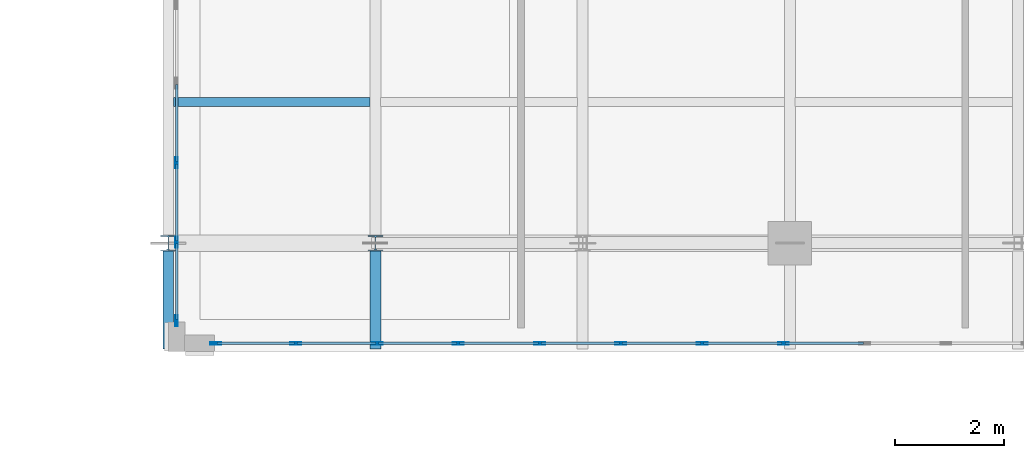
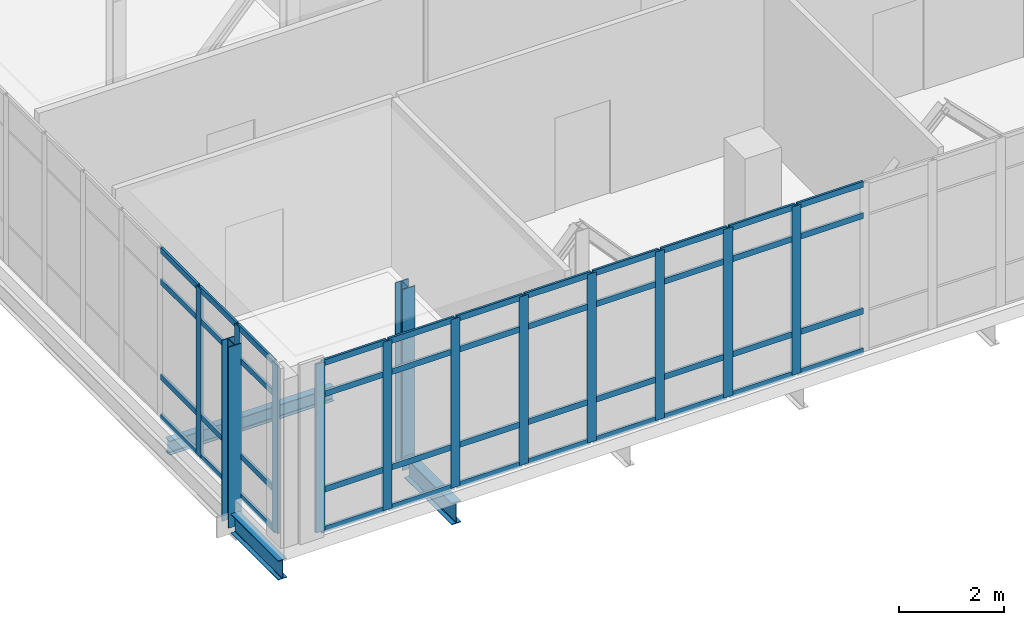
# One storey, part 2 of 193: 57 members, 3 beams, 2 elements without a shape of their own.
"""IFC4 building model written with IfcOpenShell, lengths in metres."""

from ifc_helpers import new_model, si_unit, direction, frame, origin, origin_2d, place, context, subcontext, project, spatial, hollow_rectangle, i_section, extrude, material, layer, layer_set, material_profile, profile_set, type_object, element, aggregate, save


model = new_model("IFC4")

# Units and contexts
model_context = context("Model", 3, precision=1e-05, world=origin(), true_north=direction((0.0, 1.0)))
body_context = subcontext(model_context, "Body", "Model", "MODEL_VIEW")
ifc_project = project(units=[si_unit("LENGTHUNIT", "METRE"), si_unit("AREAUNIT", "SQUARE_METRE"), si_unit("VOLUMEUNIT", "CUBIC_METRE"), si_unit("PLANEANGLEUNIT", "RADIAN"), si_unit("MASSUNIT", "GRAM", prefix="KILO")], contexts=[model_context])

# Site, building, storey
site_placement = place(None, origin())
site = spatial("IfcSite", under=ifc_project, at=site_placement, CompositionType="ELEMENT")
building_placement = place(site_placement, origin())
building = spatial("IfcBuilding", under=site, at=building_placement, Name="Qalavern Law Courts", CompositionType="ELEMENT")
storey_placement = place(building_placement, frame((0.0, 0.0, 10.199951171875)))
storey = spatial("IfcBuildingStorey", under=building, at=storey_placement, Name="L02", CompositionType="ELEMENT", Elevation=10.199951171875)

# Curtain wall, members
ifc_material_1 = material(Name="Anodised aluminium and insulated glazing", Category="aluminium")
ifc_layer = layer(ifc_material_1, 0.199951171875)
ifc_layer_set = layer_set([ifc_layer], Name="Anodised aluminium and insulated glazing")
curtain_wall_type = type_object("IfcCurtainWallType", Name="ENV-CW-FOYER", PredefinedType="USERDEFINED", material=ifc_layer_set)
curtain_wall_1_placement = place(storey_placement, origin())
curtain_wall_1 = element("IfcCurtainWall", 1, at=curtain_wall_1_placement, inside=storey, type_object=curtain_wall_type, Name="V1 unitised curtain wall L02 south 1", ObjectType="UNITISED CURTAIN WALL", PredefinedType="USERDEFINED")
ifc_material_2 = material(Name="Anodised aluminium", Category="aluminium")
ifc_material_profile_1 = material_profile(ifc_material_2, hollow_rectangle(XDim=0.048095703125, YDim=0.199951171875, WallThickness=0.00439453125, at=origin_2d()), Name="ALU MULLION 48x200")
ifc_profile_set_1 = profile_set([ifc_material_profile_1], Name="Anodised aluminium")
member_type_1 = type_object("IfcMemberType", Name="ENV-CWM-48x200", PredefinedType="MULLION", material=ifc_profile_set_1)
member_1_placement = place(storey_placement, frame((6.22900390625, 8.155029296875, 0.0), z_axis=(0.0, 0.0, 1.0), x_axis=(0.0, 1.0, 0.0)))
member_1 = element("IfcMember", 2, at=member_1_placement, type_object=member_type_1, Name="CW-01 mullion 1", PredefinedType="MULLION", context=body_context, shape_type="SweptSolid", body=[
    extrude(hollow_rectangle(XDim=0.048095703125, YDim=0.199951171875, WallThickness=0.00439453125, at=origin_2d()), origin(), (0.0, 0.0, 1.0), 3.9150390625),
])
member_2_placement = place(storey_placement, frame((7.70166015625, 8.155029296875, 0.0), z_axis=(0.0, 0.0, 1.0), x_axis=(0.0, 1.0, 0.0)))
member_2 = element("IfcMember", 3, at=member_2_placement, type_object=member_type_1, Name="CW-01 mullion 2", PredefinedType="MULLION", context=body_context, shape_type="SweptSolid", body=[
    extrude(hollow_rectangle(XDim=0.048095703125, YDim=0.199951171875, WallThickness=0.00439453125, at=origin_2d()), origin(), (0.0, 0.0, 1.0), 3.9150390625),
])
member_3_placement = place(storey_placement, frame((9.1982421875, 8.155029296875, 0.0), z_axis=(0.0, 0.0, 1.0), x_axis=(0.0, 1.0, 0.0)))
member_3 = element("IfcMember", 4, at=member_3_placement, type_object=member_type_1, Name="CW-01 mullion 3", PredefinedType="MULLION", context=body_context, shape_type="SweptSolid", body=[
    extrude(hollow_rectangle(XDim=0.048095703125, YDim=0.199951171875, WallThickness=0.00439453125, at=origin_2d()), origin(), (0.0, 0.0, 1.0), 3.9150390625),
])
member_4_placement = place(storey_placement, frame((10.695068359375, 8.155029296875, 0.0), z_axis=(0.0, 0.0, 1.0), x_axis=(0.0, 1.0, 0.0)))
member_4 = element("IfcMember", 5, at=member_4_placement, type_object=member_type_1, Name="CW-01 mullion 4", PredefinedType="MULLION", context=body_context, shape_type="SweptSolid", body=[
    extrude(hollow_rectangle(XDim=0.048095703125, YDim=0.199951171875, WallThickness=0.00439453125, at=origin_2d()), origin(), (0.0, 0.0, 1.0), 3.9150390625),
])
member_5_placement = place(storey_placement, frame((12.191650390625, 8.155029296875, 0.0), z_axis=(0.0, 0.0, 1.0), x_axis=(0.0, 1.0, 0.0)))
member_5 = element("IfcMember", 6, at=member_5_placement, type_object=member_type_1, Name="CW-01 mullion 5", PredefinedType="MULLION", context=body_context, shape_type="SweptSolid", body=[
    extrude(hollow_rectangle(XDim=0.048095703125, YDim=0.199951171875, WallThickness=0.00439453125, at=origin_2d()), origin(), (0.0, 0.0, 1.0), 3.9150390625),
])
member_6_placement = place(storey_placement, frame((13.688232421875, 8.155029296875, 0.0), z_axis=(0.0, 0.0, 1.0), x_axis=(0.0, 1.0, 0.0)))
member_6 = element("IfcMember", 7, at=member_6_placement, type_object=member_type_1, Name="CW-01 mullion 6", PredefinedType="MULLION", context=body_context, shape_type="SweptSolid", body=[
    extrude(hollow_rectangle(XDim=0.048095703125, YDim=0.199951171875, WallThickness=0.00439453125, at=origin_2d()), origin(), (0.0, 0.0, 1.0), 3.9150390625),
])
member_7_placement = place(storey_placement, frame((15.18505859375, 8.155029296875, 0.0), z_axis=(0.0, 0.0, 1.0), x_axis=(0.0, 1.0, 0.0)))
member_7 = element("IfcMember", 8, at=member_7_placement, type_object=member_type_1, Name="CW-01 mullion 7", PredefinedType="MULLION", context=body_context, shape_type="SweptSolid", body=[
    extrude(hollow_rectangle(XDim=0.048095703125, YDim=0.199951171875, WallThickness=0.00439453125, at=origin_2d()), origin(), (0.0, 0.0, 1.0), 3.9150390625),
])
member_8_placement = place(storey_placement, frame((16.681640625, 8.155029296875, 0.0), z_axis=(0.0, 0.0, 1.0), x_axis=(0.0, 1.0, 0.0)))
member_8 = element("IfcMember", 9, at=member_8_placement, type_object=member_type_1, Name="CW-01 mullion 8", PredefinedType="MULLION", context=body_context, shape_type="SweptSolid", body=[
    extrude(hollow_rectangle(XDim=0.048095703125, YDim=0.199951171875, WallThickness=0.00439453125, at=origin_2d()), origin(), (0.0, 0.0, 1.0), 3.9150390625),
])

curtain_wall_2_placement = place(storey_placement, origin())
curtain_wall_2 = element("IfcCurtainWall", 10, at=curtain_wall_2_placement, inside=storey, type_object=curtain_wall_type, Name="V1 unitised curtain wall L02 west 1", ObjectType="UNITISED CURTAIN WALL", PredefinedType="USERDEFINED")
member_9_placement = place(storey_placement, frame((5.5048828125, 11.4794921875, 0.0), z_axis=(0.0, 0.0, 1.0), x_axis=(1.0, 0.0, 0.0)))
member_9 = element("IfcMember", 11, at=member_9_placement, type_object=member_type_1, Name="CW-01 mullion 16", PredefinedType="MULLION", context=body_context, shape_type="SweptSolid", body=[
    extrude(hollow_rectangle(XDim=0.048095703125, YDim=0.199951171875, WallThickness=0.00439453125, at=origin_2d()), origin(), (0.0, 0.0, 1.0), 3.9150390625),
])
member_10_placement = place(storey_placement, frame((5.5048828125, 10.0146484375, 0.0), z_axis=(0.0, 0.0, 1.0), x_axis=(1.0, 0.0, 0.0)))
member_10 = element("IfcMember", 12, at=member_10_placement, type_object=member_type_1, Name="CW-01 mullion 17", PredefinedType="MULLION", context=body_context, shape_type="SweptSolid", body=[
    extrude(hollow_rectangle(XDim=0.048095703125, YDim=0.199951171875, WallThickness=0.00439453125, at=origin_2d()), origin(), (0.0, 0.0, 1.0), 3.9150390625),
])
member_11_placement = place(storey_placement, frame((5.5048828125, 8.573974609375, 0.0), z_axis=(0.0, 0.0, 1.0), x_axis=(1.0, 0.0, 0.0)))
member_11 = element("IfcMember", 13, at=member_11_placement, type_object=member_type_1, Name="CW-01 mullion 18", PredefinedType="MULLION", context=body_context, shape_type="SweptSolid", body=[
    extrude(hollow_rectangle(XDim=0.048095703125, YDim=0.199951171875, WallThickness=0.00439453125, at=origin_2d()), origin(), (0.0, 0.0, 1.0), 3.9150390625),
])

# Member
ifc_material_profile_2 = material_profile(ifc_material_2, hollow_rectangle(XDim=0.048095703125, YDim=0.139892578125, WallThickness=0.00390625, at=origin_2d()), Name="ALU TRANSOM 48x140")
ifc_profile_set_2 = profile_set([ifc_material_profile_2], Name="Anodised aluminium")
member_type_2 = type_object("IfcMemberType", Name="ENV-CWT-48x140", PredefinedType="USERDEFINED", material=ifc_profile_set_2)
member_12_placement = place(storey_placement, frame((6.2529296875, 8.155029296875, 0.024169921875), z_axis=(1.0, 0.0, 0.0), x_axis=(0.0, 1.0, 0.0)))
member_12 = element("IfcMember", 14, at=member_12_placement, type_object=member_type_2, Name="CW-01 transom 1.1", ObjectType="TRANSOM", PredefinedType="USERDEFINED", context=body_context, shape_type="SweptSolid", body=[
    extrude(hollow_rectangle(XDim=0.048095703125, YDim=0.139892578125, WallThickness=0.00390625, at=origin_2d()), origin(), (0.0, 0.0, 1.0), 1.4248046875),
])

member_13_placement = place(storey_placement, frame((6.2529296875, 8.155029296875, 0.949951171875), z_axis=(1.0, 0.0, 0.0), x_axis=(0.0, 1.0, 0.0)))
member_13 = element("IfcMember", 15, at=member_13_placement, type_object=member_type_2, Name="CW-01 transom 1.2", ObjectType="TRANSOM", PredefinedType="USERDEFINED", context=body_context, shape_type="SweptSolid", body=[
    extrude(hollow_rectangle(XDim=0.048095703125, YDim=0.139892578125, WallThickness=0.00390625, at=origin_2d()), origin(), (0.0, 0.0, 1.0), 1.4248046875),
])

member_14_placement = place(storey_placement, frame((6.2529296875, 8.155029296875, 3.1650390625), z_axis=(1.0, 0.0, 0.0), x_axis=(0.0, 1.0, 0.0)))
member_14 = element("IfcMember", 16, at=member_14_placement, type_object=member_type_2, Name="CW-01 transom 1.3", ObjectType="TRANSOM", PredefinedType="USERDEFINED", context=body_context, shape_type="SweptSolid", body=[
    extrude(hollow_rectangle(XDim=0.048095703125, YDim=0.139892578125, WallThickness=0.00390625, at=origin_2d()), origin(), (0.0, 0.0, 1.0), 1.4248046875),
])

member_15_placement = place(storey_placement, frame((6.2529296875, 8.155029296875, 3.89111328125), z_axis=(1.0, 0.0, 0.0), x_axis=(0.0, 1.0, 0.0)))
member_15 = element("IfcMember", 17, at=member_15_placement, type_object=member_type_2, Name="CW-01 transom 1.4", ObjectType="TRANSOM", PredefinedType="USERDEFINED", context=body_context, shape_type="SweptSolid", body=[
    extrude(hollow_rectangle(XDim=0.048095703125, YDim=0.139892578125, WallThickness=0.00390625, at=origin_2d()), origin(), (0.0, 0.0, 1.0), 1.4248046875),
])

member_16_placement = place(storey_placement, frame((7.7255859375, 8.155029296875, 0.024169921875), z_axis=(1.0, 0.0, 0.0), x_axis=(0.0, 1.0, 0.0)))
member_16 = element("IfcMember", 18, at=member_16_placement, type_object=member_type_2, Name="CW-01 transom 2.1", ObjectType="TRANSOM", PredefinedType="USERDEFINED", context=body_context, shape_type="SweptSolid", body=[
    extrude(hollow_rectangle(XDim=0.048095703125, YDim=0.139892578125, WallThickness=0.00390625, at=origin_2d()), origin(), (0.0, 0.0, 1.0), 1.44873046875),
])

member_17_placement = place(storey_placement, frame((7.7255859375, 8.155029296875, 0.949951171875), z_axis=(1.0, 0.0, 0.0), x_axis=(0.0, 1.0, 0.0)))
member_17 = element("IfcMember", 19, at=member_17_placement, type_object=member_type_2, Name="CW-01 transom 2.2", ObjectType="TRANSOM", PredefinedType="USERDEFINED", context=body_context, shape_type="SweptSolid", body=[
    extrude(hollow_rectangle(XDim=0.048095703125, YDim=0.139892578125, WallThickness=0.00390625, at=origin_2d()), origin(), (0.0, 0.0, 1.0), 1.44873046875),
])

member_18_placement = place(storey_placement, frame((7.7255859375, 8.155029296875, 3.1650390625), z_axis=(1.0, 0.0, 0.0), x_axis=(0.0, 1.0, 0.0)))
member_18 = element("IfcMember", 20, at=member_18_placement, type_object=member_type_2, Name="CW-01 transom 2.3", ObjectType="TRANSOM", PredefinedType="USERDEFINED", context=body_context, shape_type="SweptSolid", body=[
    extrude(hollow_rectangle(XDim=0.048095703125, YDim=0.139892578125, WallThickness=0.00390625, at=origin_2d()), origin(), (0.0, 0.0, 1.0), 1.44873046875),
])

member_19_placement = place(storey_placement, frame((7.7255859375, 8.155029296875, 3.89111328125), z_axis=(1.0, 0.0, 0.0), x_axis=(0.0, 1.0, 0.0)))
member_19 = element("IfcMember", 21, at=member_19_placement, type_object=member_type_2, Name="CW-01 transom 2.4", ObjectType="TRANSOM", PredefinedType="USERDEFINED", context=body_context, shape_type="SweptSolid", body=[
    extrude(hollow_rectangle(XDim=0.048095703125, YDim=0.139892578125, WallThickness=0.00390625, at=origin_2d()), origin(), (0.0, 0.0, 1.0), 1.44873046875),
])

member_20_placement = place(storey_placement, frame((9.222412109375, 8.155029296875, 0.024169921875), z_axis=(1.0, 0.0, 0.0), x_axis=(0.0, 1.0, 0.0)))
member_20 = element("IfcMember", 22, at=member_20_placement, type_object=member_type_2, Name="CW-01 transom 3.1", ObjectType="TRANSOM", PredefinedType="USERDEFINED", context=body_context, shape_type="SweptSolid", body=[
    extrude(hollow_rectangle(XDim=0.048095703125, YDim=0.139892578125, WallThickness=0.00390625, at=origin_2d()), origin(), (0.0, 0.0, 1.0), 1.448486328125),
])

member_21_placement = place(storey_placement, frame((9.222412109375, 8.155029296875, 0.949951171875), z_axis=(1.0, 0.0, 0.0), x_axis=(0.0, 1.0, 0.0)))
member_21 = element("IfcMember", 23, at=member_21_placement, type_object=member_type_2, Name="CW-01 transom 3.2", ObjectType="TRANSOM", PredefinedType="USERDEFINED", context=body_context, shape_type="SweptSolid", body=[
    extrude(hollow_rectangle(XDim=0.048095703125, YDim=0.139892578125, WallThickness=0.00390625, at=origin_2d()), origin(), (0.0, 0.0, 1.0), 1.448486328125),
])

member_22_placement = place(storey_placement, frame((9.222412109375, 8.155029296875, 3.1650390625), z_axis=(1.0, 0.0, 0.0), x_axis=(0.0, 1.0, 0.0)))
member_22 = element("IfcMember", 24, at=member_22_placement, type_object=member_type_2, Name="CW-01 transom 3.3", ObjectType="TRANSOM", PredefinedType="USERDEFINED", context=body_context, shape_type="SweptSolid", body=[
    extrude(hollow_rectangle(XDim=0.048095703125, YDim=0.139892578125, WallThickness=0.00390625, at=origin_2d()), origin(), (0.0, 0.0, 1.0), 1.448486328125),
])

member_23_placement = place(storey_placement, frame((9.222412109375, 8.155029296875, 3.89111328125), z_axis=(1.0, 0.0, 0.0), x_axis=(0.0, 1.0, 0.0)))
member_23 = element("IfcMember", 25, at=member_23_placement, type_object=member_type_2, Name="CW-01 transom 3.4", ObjectType="TRANSOM", PredefinedType="USERDEFINED", context=body_context, shape_type="SweptSolid", body=[
    extrude(hollow_rectangle(XDim=0.048095703125, YDim=0.139892578125, WallThickness=0.00390625, at=origin_2d()), origin(), (0.0, 0.0, 1.0), 1.448486328125),
])

member_24_placement = place(storey_placement, frame((10.718994140625, 8.155029296875, 0.024169921875), z_axis=(1.0, 0.0, 0.0), x_axis=(0.0, 1.0, 0.0)))
member_24 = element("IfcMember", 26, at=member_24_placement, type_object=member_type_2, Name="CW-01 transom 4.1", ObjectType="TRANSOM", PredefinedType="USERDEFINED", context=body_context, shape_type="SweptSolid", body=[
    extrude(hollow_rectangle(XDim=0.048095703125, YDim=0.139892578125, WallThickness=0.00390625, at=origin_2d()), origin(), (0.0, 0.0, 1.0), 1.44873046875),
])

member_25_placement = place(storey_placement, frame((10.718994140625, 8.155029296875, 0.949951171875), z_axis=(1.0, 0.0, 0.0), x_axis=(0.0, 1.0, 0.0)))
member_25 = element("IfcMember", 27, at=member_25_placement, type_object=member_type_2, Name="CW-01 transom 4.2", ObjectType="TRANSOM", PredefinedType="USERDEFINED", context=body_context, shape_type="SweptSolid", body=[
    extrude(hollow_rectangle(XDim=0.048095703125, YDim=0.139892578125, WallThickness=0.00390625, at=origin_2d()), origin(), (0.0, 0.0, 1.0), 1.44873046875),
])

member_26_placement = place(storey_placement, frame((10.718994140625, 8.155029296875, 3.1650390625), z_axis=(1.0, 0.0, 0.0), x_axis=(0.0, 1.0, 0.0)))
member_26 = element("IfcMember", 28, at=member_26_placement, type_object=member_type_2, Name="CW-01 transom 4.3", ObjectType="TRANSOM", PredefinedType="USERDEFINED", context=body_context, shape_type="SweptSolid", body=[
    extrude(hollow_rectangle(XDim=0.048095703125, YDim=0.139892578125, WallThickness=0.00390625, at=origin_2d()), origin(), (0.0, 0.0, 1.0), 1.44873046875),
])

member_27_placement = place(storey_placement, frame((10.718994140625, 8.155029296875, 3.89111328125), z_axis=(1.0, 0.0, 0.0), x_axis=(0.0, 1.0, 0.0)))
member_27 = element("IfcMember", 29, at=member_27_placement, type_object=member_type_2, Name="CW-01 transom 4.4", ObjectType="TRANSOM", PredefinedType="USERDEFINED", context=body_context, shape_type="SweptSolid", body=[
    extrude(hollow_rectangle(XDim=0.048095703125, YDim=0.139892578125, WallThickness=0.00390625, at=origin_2d()), origin(), (0.0, 0.0, 1.0), 1.44873046875),
])

member_28_placement = place(storey_placement, frame((12.215576171875, 8.155029296875, 0.024169921875), z_axis=(1.0, 0.0, 0.0), x_axis=(0.0, 1.0, 0.0)))
member_28 = element("IfcMember", 30, at=member_28_placement, type_object=member_type_2, Name="CW-01 transom 5.1", ObjectType="TRANSOM", PredefinedType="USERDEFINED", context=body_context, shape_type="SweptSolid", body=[
    extrude(hollow_rectangle(XDim=0.048095703125, YDim=0.139892578125, WallThickness=0.00390625, at=origin_2d()), origin(), (0.0, 0.0, 1.0), 1.44873046875),
])

member_29_placement = place(storey_placement, frame((12.215576171875, 8.155029296875, 0.949951171875), z_axis=(1.0, 0.0, 0.0), x_axis=(0.0, 1.0, 0.0)))
member_29 = element("IfcMember", 31, at=member_29_placement, type_object=member_type_2, Name="CW-01 transom 5.2", ObjectType="TRANSOM", PredefinedType="USERDEFINED", context=body_context, shape_type="SweptSolid", body=[
    extrude(hollow_rectangle(XDim=0.048095703125, YDim=0.139892578125, WallThickness=0.00390625, at=origin_2d()), origin(), (0.0, 0.0, 1.0), 1.44873046875),
])

member_30_placement = place(storey_placement, frame((12.215576171875, 8.155029296875, 3.1650390625), z_axis=(1.0, 0.0, 0.0), x_axis=(0.0, 1.0, 0.0)))
member_30 = element("IfcMember", 32, at=member_30_placement, type_object=member_type_2, Name="CW-01 transom 5.3", ObjectType="TRANSOM", PredefinedType="USERDEFINED", context=body_context, shape_type="SweptSolid", body=[
    extrude(hollow_rectangle(XDim=0.048095703125, YDim=0.139892578125, WallThickness=0.00390625, at=origin_2d()), origin(), (0.0, 0.0, 1.0), 1.44873046875),
])

member_31_placement = place(storey_placement, frame((12.215576171875, 8.155029296875, 3.89111328125), z_axis=(1.0, 0.0, 0.0), x_axis=(0.0, 1.0, 0.0)))
member_31 = element("IfcMember", 33, at=member_31_placement, type_object=member_type_2, Name="CW-01 transom 5.4", ObjectType="TRANSOM", PredefinedType="USERDEFINED", context=body_context, shape_type="SweptSolid", body=[
    extrude(hollow_rectangle(XDim=0.048095703125, YDim=0.139892578125, WallThickness=0.00390625, at=origin_2d()), origin(), (0.0, 0.0, 1.0), 1.44873046875),
])

member_32_placement = place(storey_placement, frame((13.71240234375, 8.155029296875, 0.024169921875), z_axis=(1.0, 0.0, 0.0), x_axis=(0.0, 1.0, 0.0)))
member_32 = element("IfcMember", 34, at=member_32_placement, type_object=member_type_2, Name="CW-01 transom 6.1", ObjectType="TRANSOM", PredefinedType="USERDEFINED", context=body_context, shape_type="SweptSolid", body=[
    extrude(hollow_rectangle(XDim=0.048095703125, YDim=0.139892578125, WallThickness=0.00390625, at=origin_2d()), origin(), (0.0, 0.0, 1.0), 1.448486328125),
])

member_33_placement = place(storey_placement, frame((13.71240234375, 8.155029296875, 0.949951171875), z_axis=(1.0, 0.0, 0.0), x_axis=(0.0, 1.0, 0.0)))
member_33 = element("IfcMember", 35, at=member_33_placement, type_object=member_type_2, Name="CW-01 transom 6.2", ObjectType="TRANSOM", PredefinedType="USERDEFINED", context=body_context, shape_type="SweptSolid", body=[
    extrude(hollow_rectangle(XDim=0.048095703125, YDim=0.139892578125, WallThickness=0.00390625, at=origin_2d()), origin(), (0.0, 0.0, 1.0), 1.448486328125),
])

member_34_placement = place(storey_placement, frame((13.71240234375, 8.155029296875, 3.1650390625), z_axis=(1.0, 0.0, 0.0), x_axis=(0.0, 1.0, 0.0)))
member_34 = element("IfcMember", 36, at=member_34_placement, type_object=member_type_2, Name="CW-01 transom 6.3", ObjectType="TRANSOM", PredefinedType="USERDEFINED", context=body_context, shape_type="SweptSolid", body=[
    extrude(hollow_rectangle(XDim=0.048095703125, YDim=0.139892578125, WallThickness=0.00390625, at=origin_2d()), origin(), (0.0, 0.0, 1.0), 1.448486328125),
])

member_35_placement = place(storey_placement, frame((13.71240234375, 8.155029296875, 3.89111328125), z_axis=(1.0, 0.0, 0.0), x_axis=(0.0, 1.0, 0.0)))
member_35 = element("IfcMember", 37, at=member_35_placement, type_object=member_type_2, Name="CW-01 transom 6.4", ObjectType="TRANSOM", PredefinedType="USERDEFINED", context=body_context, shape_type="SweptSolid", body=[
    extrude(hollow_rectangle(XDim=0.048095703125, YDim=0.139892578125, WallThickness=0.00390625, at=origin_2d()), origin(), (0.0, 0.0, 1.0), 1.448486328125),
])

member_36_placement = place(storey_placement, frame((15.208984375, 8.155029296875, 0.024169921875), z_axis=(1.0, 0.0, 0.0), x_axis=(0.0, 1.0, 0.0)))
member_36 = element("IfcMember", 38, at=member_36_placement, type_object=member_type_2, Name="CW-01 transom 7.1", ObjectType="TRANSOM", PredefinedType="USERDEFINED", context=body_context, shape_type="SweptSolid", body=[
    extrude(hollow_rectangle(XDim=0.048095703125, YDim=0.139892578125, WallThickness=0.00390625, at=origin_2d()), origin(), (0.0, 0.0, 1.0), 1.44873046875),
])

member_37_placement = place(storey_placement, frame((15.208984375, 8.155029296875, 0.949951171875), z_axis=(1.0, 0.0, 0.0), x_axis=(0.0, 1.0, 0.0)))
member_37 = element("IfcMember", 39, at=member_37_placement, type_object=member_type_2, Name="CW-01 transom 7.2", ObjectType="TRANSOM", PredefinedType="USERDEFINED", context=body_context, shape_type="SweptSolid", body=[
    extrude(hollow_rectangle(XDim=0.048095703125, YDim=0.139892578125, WallThickness=0.00390625, at=origin_2d()), origin(), (0.0, 0.0, 1.0), 1.44873046875),
])

member_38_placement = place(storey_placement, frame((15.208984375, 8.155029296875, 3.1650390625), z_axis=(1.0, 0.0, 0.0), x_axis=(0.0, 1.0, 0.0)))
member_38 = element("IfcMember", 40, at=member_38_placement, type_object=member_type_2, Name="CW-01 transom 7.3", ObjectType="TRANSOM", PredefinedType="USERDEFINED", context=body_context, shape_type="SweptSolid", body=[
    extrude(hollow_rectangle(XDim=0.048095703125, YDim=0.139892578125, WallThickness=0.00390625, at=origin_2d()), origin(), (0.0, 0.0, 1.0), 1.44873046875),
])

member_39_placement = place(storey_placement, frame((15.208984375, 8.155029296875, 3.89111328125), z_axis=(1.0, 0.0, 0.0), x_axis=(0.0, 1.0, 0.0)))
member_39 = element("IfcMember", 41, at=member_39_placement, type_object=member_type_2, Name="CW-01 transom 7.4", ObjectType="TRANSOM", PredefinedType="USERDEFINED", context=body_context, shape_type="SweptSolid", body=[
    extrude(hollow_rectangle(XDim=0.048095703125, YDim=0.139892578125, WallThickness=0.00390625, at=origin_2d()), origin(), (0.0, 0.0, 1.0), 1.44873046875),
])

member_40_placement = place(storey_placement, frame((16.70556640625, 8.155029296875, 0.024169921875), z_axis=(1.0, 0.0, 0.0), x_axis=(0.0, 1.0, 0.0)))
member_40 = element("IfcMember", 42, at=member_40_placement, type_object=member_type_2, Name="CW-01 transom 8.1", ObjectType="TRANSOM", PredefinedType="USERDEFINED", context=body_context, shape_type="SweptSolid", body=[
    extrude(hollow_rectangle(XDim=0.048095703125, YDim=0.139892578125, WallThickness=0.00390625, at=origin_2d()), origin(), (0.0, 0.0, 1.0), 1.44873046875),
])

member_41_placement = place(storey_placement, frame((16.70556640625, 8.155029296875, 0.949951171875), z_axis=(1.0, 0.0, 0.0), x_axis=(0.0, 1.0, 0.0)))
member_41 = element("IfcMember", 43, at=member_41_placement, type_object=member_type_2, Name="CW-01 transom 8.2", ObjectType="TRANSOM", PredefinedType="USERDEFINED", context=body_context, shape_type="SweptSolid", body=[
    extrude(hollow_rectangle(XDim=0.048095703125, YDim=0.139892578125, WallThickness=0.00390625, at=origin_2d()), origin(), (0.0, 0.0, 1.0), 1.44873046875),
])

member_42_placement = place(storey_placement, frame((16.70556640625, 8.155029296875, 3.1650390625), z_axis=(1.0, 0.0, 0.0), x_axis=(0.0, 1.0, 0.0)))
member_42 = element("IfcMember", 44, at=member_42_placement, type_object=member_type_2, Name="CW-01 transom 8.3", ObjectType="TRANSOM", PredefinedType="USERDEFINED", context=body_context, shape_type="SweptSolid", body=[
    extrude(hollow_rectangle(XDim=0.048095703125, YDim=0.139892578125, WallThickness=0.00390625, at=origin_2d()), origin(), (0.0, 0.0, 1.0), 1.44873046875),
])

member_43_placement = place(storey_placement, frame((16.70556640625, 8.155029296875, 3.89111328125), z_axis=(1.0, 0.0, 0.0), x_axis=(0.0, 1.0, 0.0)))
member_43 = element("IfcMember", 45, at=member_43_placement, type_object=member_type_2, Name="CW-01 transom 8.4", ObjectType="TRANSOM", PredefinedType="USERDEFINED", context=body_context, shape_type="SweptSolid", body=[
    extrude(hollow_rectangle(XDim=0.048095703125, YDim=0.139892578125, WallThickness=0.00390625, at=origin_2d()), origin(), (0.0, 0.0, 1.0), 1.44873046875),
])

aggregate(curtain_wall_1, [member_1, member_2, member_3, member_4, member_5, member_6, member_7, member_8, member_12, member_13, member_14, member_15, member_16, member_17, member_18, member_19, member_20, member_21, member_22, member_23, member_24, member_25, member_26, member_27, member_28, member_29, member_30, member_31, member_32, member_33, member_34, member_35, member_36, member_37, member_38, member_39, member_40, member_41, member_42, member_43])

member_44_placement = place(storey_placement, frame((5.5048828125, 12.920166015625, 0.024169921875), z_axis=(0.0, -1.0, 0.0), x_axis=(1.0, 0.0, 0.0)))
member_44 = element("IfcMember", 46, at=member_44_placement, type_object=member_type_2, Name="CW-01 transom 15.1", ObjectType="TRANSOM", PredefinedType="USERDEFINED", context=body_context, shape_type="SweptSolid", body=[
    extrude(hollow_rectangle(XDim=0.048095703125, YDim=0.139892578125, WallThickness=0.00390625, at=origin_2d()), origin(), (0.0, 0.0, 1.0), 1.416748046875),
])

member_45_placement = place(storey_placement, frame((5.5048828125, 12.920166015625, 0.949951171875), z_axis=(0.0, -1.0, 0.0), x_axis=(1.0, 0.0, 0.0)))
member_45 = element("IfcMember", 47, at=member_45_placement, type_object=member_type_2, Name="CW-01 transom 15.2", ObjectType="TRANSOM", PredefinedType="USERDEFINED", context=body_context, shape_type="SweptSolid", body=[
    extrude(hollow_rectangle(XDim=0.048095703125, YDim=0.139892578125, WallThickness=0.00390625, at=origin_2d()), origin(), (0.0, 0.0, 1.0), 1.416748046875),
])

member_46_placement = place(storey_placement, frame((5.5048828125, 12.920166015625, 3.1650390625), z_axis=(0.0, -1.0, 0.0), x_axis=(1.0, 0.0, 0.0)))
member_46 = element("IfcMember", 48, at=member_46_placement, type_object=member_type_2, Name="CW-01 transom 15.3", ObjectType="TRANSOM", PredefinedType="USERDEFINED", context=body_context, shape_type="SweptSolid", body=[
    extrude(hollow_rectangle(XDim=0.048095703125, YDim=0.139892578125, WallThickness=0.00390625, at=origin_2d()), origin(), (0.0, 0.0, 1.0), 1.416748046875),
])

member_47_placement = place(storey_placement, frame((5.5048828125, 12.920166015625, 3.89111328125), z_axis=(0.0, -1.0, 0.0), x_axis=(1.0, 0.0, 0.0)))
member_47 = element("IfcMember", 49, at=member_47_placement, type_object=member_type_2, Name="CW-01 transom 15.4", ObjectType="TRANSOM", PredefinedType="USERDEFINED", context=body_context, shape_type="SweptSolid", body=[
    extrude(hollow_rectangle(XDim=0.048095703125, YDim=0.139892578125, WallThickness=0.00390625, at=origin_2d()), origin(), (0.0, 0.0, 1.0), 1.416748046875),
])

member_48_placement = place(storey_placement, frame((5.5048828125, 11.455322265625, 0.024169921875), z_axis=(0.0, -1.0, 0.0), x_axis=(1.0, 0.0, 0.0)))
member_48 = element("IfcMember", 50, at=member_48_placement, type_object=member_type_2, Name="CW-01 transom 16.1", ObjectType="TRANSOM", PredefinedType="USERDEFINED", context=body_context, shape_type="SweptSolid", body=[
    extrude(hollow_rectangle(XDim=0.048095703125, YDim=0.139892578125, WallThickness=0.00390625, at=origin_2d()), origin(), (0.0, 0.0, 1.0), 1.41650390625),
])

member_49_placement = place(storey_placement, frame((5.5048828125, 11.455322265625, 0.949951171875), z_axis=(0.0, -1.0, 0.0), x_axis=(1.0, 0.0, 0.0)))
member_49 = element("IfcMember", 51, at=member_49_placement, type_object=member_type_2, Name="CW-01 transom 16.2", ObjectType="TRANSOM", PredefinedType="USERDEFINED", context=body_context, shape_type="SweptSolid", body=[
    extrude(hollow_rectangle(XDim=0.048095703125, YDim=0.139892578125, WallThickness=0.00390625, at=origin_2d()), origin(), (0.0, 0.0, 1.0), 1.41650390625),
])

member_50_placement = place(storey_placement, frame((5.5048828125, 11.455322265625, 3.1650390625), z_axis=(0.0, -1.0, 0.0), x_axis=(1.0, 0.0, 0.0)))
member_50 = element("IfcMember", 52, at=member_50_placement, type_object=member_type_2, Name="CW-01 transom 16.3", ObjectType="TRANSOM", PredefinedType="USERDEFINED", context=body_context, shape_type="SweptSolid", body=[
    extrude(hollow_rectangle(XDim=0.048095703125, YDim=0.139892578125, WallThickness=0.00390625, at=origin_2d()), origin(), (0.0, 0.0, 1.0), 1.41650390625),
])

member_51_placement = place(storey_placement, frame((5.5048828125, 11.455322265625, 3.89111328125), z_axis=(0.0, -1.0, 0.0), x_axis=(1.0, 0.0, 0.0)))
member_51 = element("IfcMember", 53, at=member_51_placement, type_object=member_type_2, Name="CW-01 transom 16.4", ObjectType="TRANSOM", PredefinedType="USERDEFINED", context=body_context, shape_type="SweptSolid", body=[
    extrude(hollow_rectangle(XDim=0.048095703125, YDim=0.139892578125, WallThickness=0.00390625, at=origin_2d()), origin(), (0.0, 0.0, 1.0), 1.41650390625),
])

member_52_placement = place(storey_placement, frame((5.5048828125, 9.99072265625, 0.024169921875), z_axis=(0.0, -1.0, 0.0), x_axis=(1.0, 0.0, 0.0)))
member_52 = element("IfcMember", 54, at=member_52_placement, type_object=member_type_2, Name="CW-01 transom 17.1", ObjectType="TRANSOM", PredefinedType="USERDEFINED", context=body_context, shape_type="SweptSolid", body=[
    extrude(hollow_rectangle(XDim=0.048095703125, YDim=0.139892578125, WallThickness=0.00390625, at=origin_2d()), origin(), (0.0, 0.0, 1.0), 1.392822265625),
])

member_53_placement = place(storey_placement, frame((5.5048828125, 9.99072265625, 0.949951171875), z_axis=(0.0, -1.0, 0.0), x_axis=(1.0, 0.0, 0.0)))
member_53 = element("IfcMember", 55, at=member_53_placement, type_object=member_type_2, Name="CW-01 transom 17.2", ObjectType="TRANSOM", PredefinedType="USERDEFINED", context=body_context, shape_type="SweptSolid", body=[
    extrude(hollow_rectangle(XDim=0.048095703125, YDim=0.139892578125, WallThickness=0.00390625, at=origin_2d()), origin(), (0.0, 0.0, 1.0), 1.392822265625),
])

member_54_placement = place(storey_placement, frame((5.5048828125, 9.99072265625, 3.1650390625), z_axis=(0.0, -1.0, 0.0), x_axis=(1.0, 0.0, 0.0)))
member_54 = element("IfcMember", 56, at=member_54_placement, type_object=member_type_2, Name="CW-01 transom 17.3", ObjectType="TRANSOM", PredefinedType="USERDEFINED", context=body_context, shape_type="SweptSolid", body=[
    extrude(hollow_rectangle(XDim=0.048095703125, YDim=0.139892578125, WallThickness=0.00390625, at=origin_2d()), origin(), (0.0, 0.0, 1.0), 1.392822265625),
])

member_55_placement = place(storey_placement, frame((5.5048828125, 9.99072265625, 3.89111328125), z_axis=(0.0, -1.0, 0.0), x_axis=(1.0, 0.0, 0.0)))
member_55 = element("IfcMember", 57, at=member_55_placement, type_object=member_type_2, Name="CW-01 transom 17.4", ObjectType="TRANSOM", PredefinedType="USERDEFINED", context=body_context, shape_type="SweptSolid", body=[
    extrude(hollow_rectangle(XDim=0.048095703125, YDim=0.139892578125, WallThickness=0.00390625, at=origin_2d()), origin(), (0.0, 0.0, 1.0), 1.392822265625),
])

aggregate(curtain_wall_2, [member_9, member_10, member_11, member_44, member_45, member_46, member_47, member_48, member_49, member_50, member_51, member_52, member_53, member_54, member_55])

# Beams
ifc_material_3 = material(Name="Steel S355", Category="steel")
ifc_material_profile_3 = material_profile(ifc_material_3, i_section(OverallWidth=0.199951171875, OverallDepth=0.5, WebThickness=0.01025390625, FlangeThickness=0.01611328125, FilletRadius=0.02099609375, at=origin_2d()), Name="IPE 500")
ifc_profile_set_3 = profile_set([ifc_material_profile_3], Name="Steel S355")
beam_type_1 = type_object("IfcBeamType", Name="STR-BM-IPE500", PredefinedType="BEAM", material=ifc_profile_set_3)
beam_1_placement = place(storey_placement, frame((9.166748046875, 8.050048828125, -0.5400390625), z_axis=(0.0, 1.0, 0.0), x_axis=(-1.0, 0.0, 0.0)))
element("IfcBeam", 58, at=beam_1_placement, inside=storey, type_object=beam_type_1, Name="Foyer transverse beam L02-7.1", PredefinedType="BEAM", context=body_context, shape_type="SweptSolid", body=[
    extrude(i_section(OverallWidth=0.199951171875, OverallDepth=0.5, WebThickness=0.01025390625, FlangeThickness=0.01611328125, FilletRadius=0.02099609375, at=origin_2d()), origin(), (0.0, 0.0, 1.0), 1.802001953125),
])
ifc_material_profile_4 = material_profile(ifc_material_3, i_section(OverallWidth=0.159912109375, OverallDepth=0.330078125, WebThickness=0.007568359375, FlangeThickness=0.011474609375, FilletRadius=0.01806640625, at=origin_2d()), Name="IPE 330")
ifc_profile_set_4 = profile_set([ifc_material_profile_4], Name="Steel S355")
beam_type_2 = type_object("IfcBeamType", Name="STR-JST-IPE330", PredefinedType="JOIST", material=ifc_profile_set_4)
beam_2_placement = place(storey_placement, frame((5.447998046875, 12.60009765625, -0.454833984375), z_axis=(1.0, 0.0, 0.0), x_axis=(0.0, 1.0, 0.0)))
element("IfcBeam", 59, at=beam_2_placement, inside=storey, type_object=beam_type_2, Name="Foyer floor joist L02-7.1", PredefinedType="JOIST", context=body_context, shape_type="SweptSolid", body=[
    extrude(i_section(OverallWidth=0.159912109375, OverallDepth=0.330078125, WebThickness=0.007568359375, FlangeThickness=0.011474609375, FilletRadius=0.01806640625, at=origin_2d()), origin(), (0.0, 0.0, 1.0), 3.62060546875),
])

# Members
ifc_material_profile_5 = material_profile(ifc_material_3, i_section(OverallWidth=0.280029296875, OverallDepth=0.280029296875, WebThickness=0.010498046875, FlangeThickness=0.01806640625, FilletRadius=0.02392578125, at=origin_2d()), Name="HEB 280")
ifc_profile_set_5 = profile_set([ifc_material_profile_5], Name="Steel S355")
member_type_3 = type_object("IfcMemberType", Name="STR-POST-HEB280", PredefinedType="POST", material=ifc_profile_set_5)
for number, where, z_axis, x_axis, name in (
    (60, (9.166748046875, 10.0, -0.614990234375), (0.0, 0.0, 1.0), (1.0, 0.0, 0.0), "Cantilever truss T1 post L02-2"),
    (61, (5.35009765625, 10.0, -0.614990234375), (0.0, 0.0, 1.0), (1.0, 0.0, 0.0), "Cantilever truss T1 post L02-3"),
):
    element("IfcMember", number, at=place(storey_placement, frame(where, z_axis=z_axis, x_axis=x_axis)), inside=storey, type_object=member_type_3, Name=name, PredefinedType="POST", context=body_context, shape_type="SweptSolid", body=[
        extrude(i_section(OverallWidth=0.280029296875, OverallDepth=0.280029296875, WebThickness=0.010498046875, FlangeThickness=0.01806640625, FilletRadius=0.02392578125, at=origin_2d()), origin(), (0.0, 0.0, 1.0), 4.205078125),
    ])

# Beam
ifc_material_profile_6 = material_profile(ifc_material_3, i_section(OverallWidth=0.18994140625, OverallDepth=0.449951171875, WebThickness=0.009521484375, FlangeThickness=0.0146484375, FilletRadius=0.02099609375, at=origin_2d()), Name="IPE 450")
ifc_profile_set_6 = profile_set([ifc_material_profile_6], Name="Steel S355")
beam_type_3 = type_object("IfcBeamType", Name="STR-SP-IPE450", PredefinedType="SPANDREL", material=ifc_profile_set_6)
beam_3_placement = place(storey_placement, frame((5.35009765625, 8.050048828125, -0.514892578125), z_axis=(0.0, 1.0, 0.0), x_axis=(-1.0, 0.0, 0.0)))
element("IfcBeam", 62, at=beam_3_placement, inside=storey, type_object=beam_type_3, Name="Foyer transverse beam L02-8.1", PredefinedType="SPANDREL", context=body_context, shape_type="SweptSolid", body=[
    extrude(i_section(OverallWidth=0.18994140625, OverallDepth=0.449951171875, WebThickness=0.009521484375, FlangeThickness=0.0146484375, FilletRadius=0.02099609375, at=origin_2d()), origin(), (0.0, 0.0, 1.0), 1.802001953125),
])

save(model, "model.ifc")
